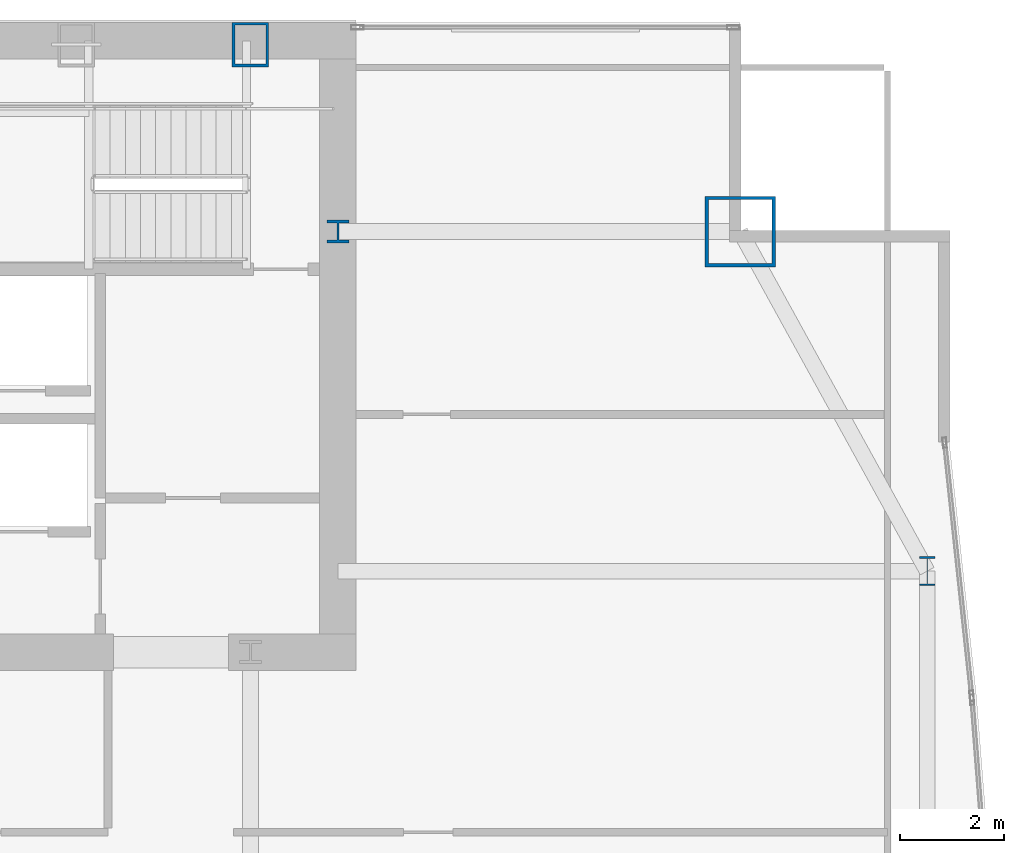
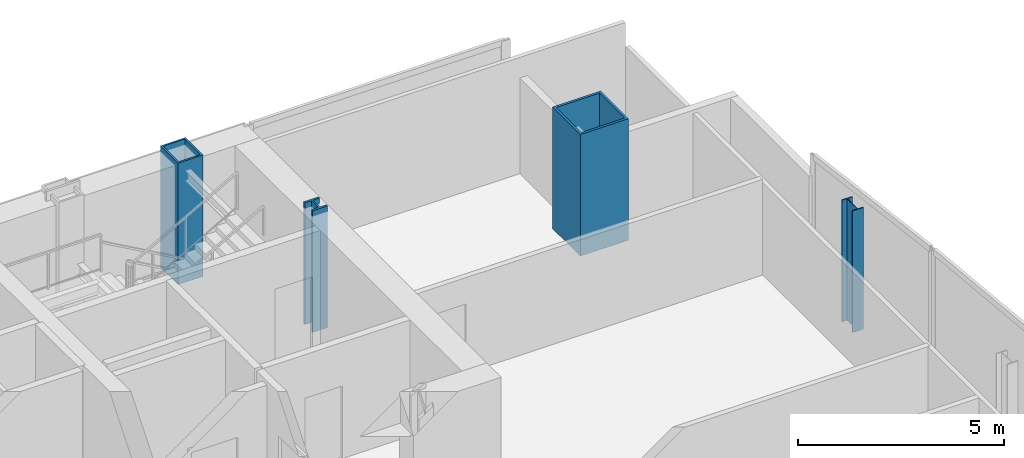
# One storey, part 4 of 29: 4 columns.
"""IFC4 building model written with IfcOpenShell, lengths in metres."""

from ifc_helpers import new_model, si_unit, direction, frame, origin, origin_2d, place, context, subcontext, project, spatial, hollow_rectangle, i_section, extrude, material, material_profile, profile_set, type_object, element, save


model = new_model("IFC4")

# Units and contexts
model_context = context("Model", 3, precision=1e-05, world=origin(), true_north=direction((0.0, 1.0)))
body_context = subcontext(model_context, "Body", "Model", "MODEL_VIEW")
ifc_project = project(units=[si_unit("LENGTHUNIT", "METRE"), si_unit("AREAUNIT", "SQUARE_METRE"), si_unit("VOLUMEUNIT", "CUBIC_METRE"), si_unit("PLANEANGLEUNIT", "RADIAN"), si_unit("MASSUNIT", "GRAM", prefix="KILO")], contexts=[model_context])

# Site, building, storey
site_placement = place(None, origin())
site = spatial("IfcSite", under=ifc_project, at=site_placement, CompositionType="ELEMENT")
building_placement = place(site_placement, origin())
building = spatial("IfcBuilding", under=site, at=building_placement, Name="Khoronbel Lancet Exchange", CompositionType="ELEMENT")
storey_placement = place(building_placement, frame((0.0, 0.0, 143.39990234375)))
storey = spatial("IfcBuildingStorey", under=building, at=storey_placement, Name="L35", CompositionType="ELEMENT", Elevation=143.39990234375)

# Columns
ifc_material_1 = material(Name="Steel S460", Category="steel")
ifc_material_profile_1 = material_profile(ifc_material_1, hollow_rectangle(XDim=0.699951171875, YDim=0.85009765625, WallThickness=0.050048828125, at=origin_2d()), Name="BOX 850x700x50")
ifc_profile_set_1 = profile_set([ifc_material_profile_1], Name="Steel S460")
column_type_1 = type_object("IfcColumnType", Name="COL-EC2", PredefinedType="COLUMN", material=ifc_profile_set_1)
column_1_placement = place(storey_placement, frame((54.675048828125, 53.280029296875, 0.0), z_axis=(0.0, 0.0, 1.0), x_axis=(1.0, 0.0, 0.0)))
element("IfcColumn", 1, at=column_1_placement, inside=storey, type_object=column_type_1, Name="Structural column NC-E2 L35", PredefinedType="COLUMN", context=body_context, shape_type="SweptSolid", body=[
    extrude(hollow_rectangle(XDim=0.699951171875, YDim=0.85009765625, WallThickness=0.050048828125, at=origin_2d()), origin(), (0.0, 0.0, 1.0), 3.60009765625),
])
ifc_material_profile_2 = material_profile(ifc_material_1, i_section(OverallWidth=0.416015625, OverallDepth=0.446044921875, WebThickness=0.0390625, FlangeThickness=0.062744140625, at=origin_2d()), Name="HD 400x509")
ifc_profile_set_2 = profile_set([ifc_material_profile_2], Name="Steel S460")
column_type_2 = type_object("IfcColumnType", Name="COL-IC2", PredefinedType="COLUMN", material=ifc_profile_set_2)
column_2_placement = place(storey_placement, frame((56.35009765625, 49.699951171875, 0.0), z_axis=(0.0, 0.0, 1.0), x_axis=(1.0, 0.0, 0.0)))
element("IfcColumn", 2, at=column_2_placement, inside=storey, type_object=column_type_2, Name="Core-flank plumb transfer column CFE L35", PredefinedType="COLUMN", context=body_context, shape_type="SweptSolid", body=[
    extrude(i_section(OverallWidth=0.416015625, OverallDepth=0.446044921875, WebThickness=0.0390625, FlangeThickness=0.062744140625, at=origin_2d()), origin(), (0.0, 0.0, 1.0), 3.60009765625),
])
ifc_material_2 = material(Name="Steel S355", Category="steel")
ifc_material_profile_3 = material_profile(ifc_material_2, i_section(OverallWidth=0.300048828125, OverallDepth=0.550048828125, WebThickness=0.014892578125, FlangeThickness=0.029052734375, at=origin_2d()), Name="HEB 550")
ifc_profile_set_3 = profile_set([ifc_material_profile_3], Name="Steel S355")
column_type_3 = type_object("IfcColumnType", Name="COL-LC1", PredefinedType="COLUMN", material=ifc_profile_set_3)
column_3_placement = place(storey_placement, frame((67.6298828125, 43.199951171875, 0.0), z_axis=(0.0, 0.0, 1.0), x_axis=(1.0, 0.0, 0.0)))
element("IfcColumn", 3, at=column_3_placement, inside=storey, type_object=column_type_3, Name="Structural column EC-4 L35", PredefinedType="COLUMN", context=body_context, shape_type="SweptSolid", body=[
    extrude(i_section(OverallWidth=0.300048828125, OverallDepth=0.550048828125, WebThickness=0.014892578125, FlangeThickness=0.029052734375, at=origin_2d()), origin(), (0.0, 0.0, 1.0), 3.60009765625),
])
ifc_material_profile_4 = material_profile(ifc_material_1, hollow_rectangle(XDim=1.35009765625, YDim=1.35009765625, WallThickness=0.06494140625, at=origin_2d()), Name="BOX 1350x1350x65")
ifc_profile_set_4 = profile_set([ifc_material_profile_4], Name="Steel S460")
column_type_4 = type_object("IfcColumnType", Name="COL-MC4", PredefinedType="COLUMN", material=ifc_profile_set_4)
column_4_placement = place(storey_placement, frame((64.050048828125, 49.699951171875, 0.0), z_axis=(0.0, 0.0, 1.0), x_axis=(1.0, 0.0, 0.0)))
element("IfcColumn", 4, at=column_4_placement, inside=storey, type_object=column_type_4, Name="Structural column MC-NE L35", PredefinedType="COLUMN", context=body_context, shape_type="SweptSolid", body=[
    extrude(hollow_rectangle(XDim=1.35009765625, YDim=1.35009765625, WallThickness=0.06494140625, at=origin_2d()), origin(), (0.0, 0.0, 1.0), 3.60009765625),
])

save(model, "model.ifc")
